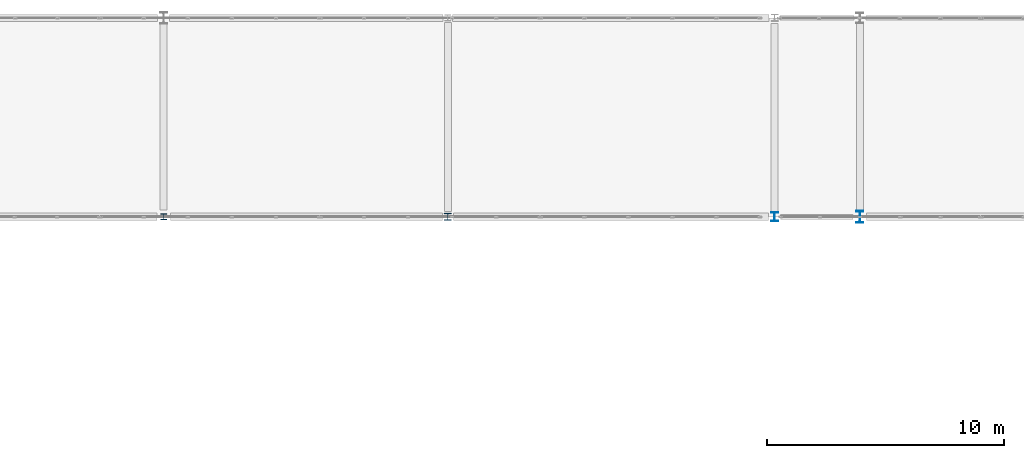
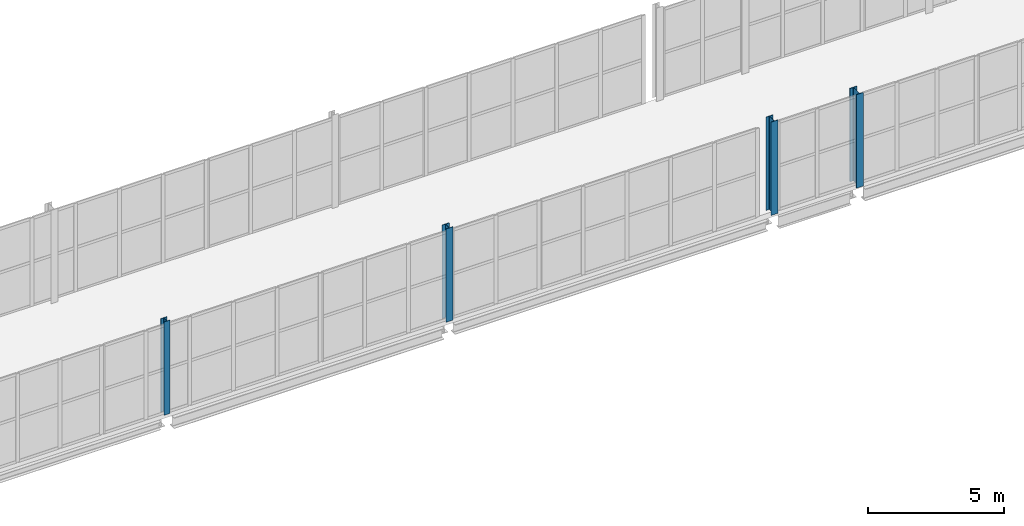
# One storey, part 16 of 121: 4 columns.
"""IFC4 building model written with IfcOpenShell, lengths in metres."""

import ifcopenshell
import ifcopenshell.guid

model = None  # the IFC model being written
_history = None  # IfcOwnerHistory: only IFC2X3 demands one
_inside = {}  # id of a spatial element -> (the spatial element, [elements in it])
_under = {}  # id of a project, library or spatial element -> (it, [spatial elements below it])
_declared = {}  # id of a project -> (the project, [libraries it declares])
_typed = {}  # id of a type object -> (the type object, [elements of that type])
_made_of = {}  # id of a material, layer set ... -> (it, [elements and type objects made of it])


def new_model(schema):
    """Start an empty IFC model of exactly this schema.

    Asked for "IFC4X3", IfcOpenShell would pick the latest addendum, in which some entities
    have other attributes; the version numbers below select the first issue.
    IFC2X3 requires an IfcOwnerHistory on every rooted entity: one is made here for all.
    """
    global model, _history
    if schema == "IFC4X3":
        model = ifcopenshell.file(schema_version=(4, 3, 0, 0))
    else:
        model = ifcopenshell.file(schema=schema)
    _inside.clear()
    _under.clear()
    _declared.clear()
    _typed.clear()
    _made_of.clear()
    _history = None
    if model.schema == "IFC2X3":
        org = make("IfcOrganization", Name="unknown")
        user = make(
            "IfcPersonAndOrganization",
            ThePerson=make("IfcPerson", FamilyName="unknown"),
            TheOrganization=org,
        )
        app = make(
            "IfcApplication",
            ApplicationDeveloper=org,
            Version="unknown",
            ApplicationFullName="unknown",
            ApplicationIdentifier="unknown",
        )
        _history = make(
            "IfcOwnerHistory",
            OwningUser=user,
            OwningApplication=app,
            ChangeAction="ADDED",
            CreationDate=0,
        )
    return model


def make(cls, **values):
    """One entity of the class cls with the attributes given. An attribute that is None is left unset."""
    return model.create_entity(
        cls, **{name: value for name, value in values.items() if value is not None}
    )


def rooted(cls, **values):
    """An entity with a GlobalId (a new one), such as an element, a storey or a relation."""
    return make(cls, GlobalId=ifcopenshell.guid.new(), OwnerHistory=_history, **values)


def si_unit(unit_type, name, prefix=None):
    """IfcSIUnit, for example si_unit("LENGTHUNIT", "METRE", prefix="MILLI")."""
    return make("IfcSIUnit", UnitType=unit_type, Prefix=prefix, Name=name)


def assignment(units):
    """IfcUnitAssignment: the units of a project."""
    return None if units is None else make("IfcUnitAssignment", Units=units)


def point(xyz):
    """IfcCartesianPoint."""
    return None if xyz is None else make("IfcCartesianPoint", Coordinates=xyz)


def direction(xyz):
    """IfcDirection."""
    return None if xyz is None else make("IfcDirection", DirectionRatios=xyz)


def frame(location, z_axis=None, x_axis=None):
    """IfcAxis2Placement3D, a coordinate frame: its origin and axes. An axis left out is left unset."""
    return make(
        "IfcAxis2Placement3D",
        Location=point(location),
        Axis=direction(z_axis),
        RefDirection=direction(x_axis),
    )


def frame_2d(location, x_axis=None):
    """IfcAxis2Placement2D, a coordinate frame in the plane: its origin and x axis."""
    return make(
        "IfcAxis2Placement2D", Location=point(location), RefDirection=direction(x_axis)
    )


def origin():
    """The frame at (0, 0, 0) with its axes left unset."""
    return frame((0.0, 0.0, 0.0))


def origin_2d():
    """The frame at (0, 0) in the plane with its x axis left unset."""
    return frame_2d((0.0, 0.0))


def place(relative_to, where):
    """IfcLocalPlacement: puts the frame where relative to a parent placement (None: the world)."""
    return make(
        "IfcLocalPlacement", PlacementRelTo=relative_to, RelativePlacement=where
    )


def context(
    kind, dimensions, precision=None, world=None, true_north=None, identifier=None
):
    """IfcGeometricRepresentationContext, for example the 3D "Model" context."""
    return make(
        "IfcGeometricRepresentationContext",
        ContextIdentifier=identifier,
        ContextType=kind,
        CoordinateSpaceDimension=dimensions,
        Precision=precision,
        WorldCoordinateSystem=world,
        TrueNorth=true_north,
    )


def subcontext(parent, identifier, kind, view, scale=None):
    """IfcGeometricRepresentationSubContext, for example "Body" below "Model"."""
    return make(
        "IfcGeometricRepresentationSubContext",
        ContextIdentifier=identifier,
        ContextType=kind,
        ParentContext=parent,
        TargetScale=scale,
        TargetView=view,
    )


def project(units=None, contexts=None):
    """IfcProject with its units and contexts."""
    return rooted(
        "IfcProject",
        Name="project",
        RepresentationContexts=contexts,
        UnitsInContext=assignment(units),
    )


def spatial(cls, under=None, at=None, **own):
    """A site, building, storey or space (cls), placed at a placement, below another one or the project."""
    s = rooted(cls, ObjectPlacement=at, **own)
    if under is not None:
        _under.setdefault(under.id(), (under, []))[1].append(s)
    return s


def profile(cls, at=None, kind="AREA", **sizes):
    """A parametric profile (cls). Its sizes go by their IFC names, for example OverallWidth=200.0."""
    return make(cls, ProfileType=kind, Position=at, **sizes)


def i_section(**sizes):
    """IfcIShapeProfileDef."""
    return profile("IfcIShapeProfileDef", **sizes)


def extrude(swept, where, along, depth):
    """IfcExtrudedAreaSolid: the profile swept, set in the frame where, extruded along a direction by depth."""
    return make(
        "IfcExtrudedAreaSolid",
        SweptArea=swept,
        Position=where,
        ExtrudedDirection=direction(along),
        Depth=depth,
    )


def shape(context_of_items, identifier, shape_type, items):
    """IfcShapeRepresentation: the items that make up one representation, for example the "Body"."""
    return make(
        "IfcShapeRepresentation",
        ContextOfItems=context_of_items,
        RepresentationIdentifier=identifier,
        RepresentationType=shape_type,
        Items=items,
    )


def material(Name=None, Category=None):
    """IfcMaterial."""
    return make("IfcMaterial", Name=Name, Category=Category)


def material_profile(
    of_material, cross_section, Name=None, Category=None, Priority=None
):
    """IfcMaterialProfile: a cross section and its material."""
    return make(
        "IfcMaterialProfile",
        Name=Name,
        Material=of_material,
        Profile=cross_section,
        Priority=Priority,
        Category=Category,
    )


def profile_set(profiles, Name=None, composite=None):
    """IfcMaterialProfileSet."""
    return make(
        "IfcMaterialProfileSet",
        Name=Name,
        MaterialProfiles=profiles,
        CompositeProfile=composite,
    )


def made_of(thing, what):
    """Note that an element or type object is made of a material, layer set ...; save() writes the relation."""
    if what is not None:
        _made_of.setdefault(what.id(), (what, []))[1].append(thing)
    return thing


def type_object(cls, material=None, **own):
    """A type object (cls), such as IfcWallType, which elements share."""
    return made_of(rooted(cls, **own), material)


def element(
    cls,
    number,
    at=None,
    inside=None,
    cuts=None,
    type_object=None,
    material=None,
    context=None,
    identifier="Body",
    shape_type=None,
    held_by="IfcProductDefinitionShape",
    body=None,
    shapes=None,
    **own,
):
    """One element of the class cls, such as IfcWall. Its Tag is "e" and its number.

    at: its placement. inside: the storey or other place that contains it. cuts: it is an
    opening in that element (IfcRelVoidsElement). A single representation is given by context,
    identifier, shape_type and body (its items); several are given by shapes. held_by: the class
    of the entity that holds the representations. save() writes the other relations.
    """
    e = rooted(cls, Tag="e%d" % number, ObjectPlacement=at, **own)
    if body is not None:
        shapes = [shape(context, identifier, shape_type, body)]
    if shapes is not None:
        e.Representation = make(held_by, Representations=shapes)
    if inside is not None:
        _inside.setdefault(inside.id(), (inside, []))[1].append(e)
    if cuts is not None:
        rooted(
            "IfcRelVoidsElement", RelatingBuildingElement=cuts, RelatedOpeningElement=e
        )
    if type_object is not None:
        _typed.setdefault(type_object.id(), (type_object, []))[1].append(e)
    return made_of(e, material)


def aggregate(whole, parts):
    """IfcRelAggregates: a whole, such as a stair, and the parts it consists of."""
    return rooted("IfcRelAggregates", RelatingObject=whole, RelatedObjects=parts)


def save(model, path):
    """Write the relations noted so far, then the file.

    IfcRelAggregates (storeys below a building ...), IfcRelContainedInSpatialStructure (elements
    in a storey), IfcRelDefinesByType, IfcRelAssociatesMaterial and IfcRelDeclares: one each for
    every whole, place, type object, material and project.
    """
    for whole, parts in _under.values():
        aggregate(whole, parts)
    for where, things in _inside.values():
        rooted(
            "IfcRelContainedInSpatialStructure",
            RelatedElements=things,
            RelatingStructure=where,
        )
    for kind, things in _typed.values():
        rooted("IfcRelDefinesByType", RelatedObjects=things, RelatingType=kind)
    for what, things in _made_of.values():
        rooted("IfcRelAssociatesMaterial", RelatedObjects=things, RelatingMaterial=what)
    for by, libraries in _declared.values():
        rooted("IfcRelDeclares", RelatingContext=by, RelatedDefinitions=libraries)
    model.write(path)


model = new_model("IFC4")

# Units and contexts
model_context = context("Model", 3, precision=1e-05, world=origin(), true_north=direction((0.0, 1.0)))
body_context = subcontext(model_context, "Body", "Model", "MODEL_VIEW")
ifc_project = project(units=[si_unit("LENGTHUNIT", "METRE"), si_unit("AREAUNIT", "SQUARE_METRE"), si_unit("VOLUMEUNIT", "CUBIC_METRE"), si_unit("PLANEANGLEUNIT", "RADIAN"), si_unit("MASSUNIT", "GRAM", prefix="KILO")], contexts=[model_context])

# Site, building, storey
site_placement = place(None, origin())
site = spatial("IfcSite", under=ifc_project, at=site_placement, CompositionType="ELEMENT")
building_placement = place(site_placement, origin())
building = spatial("IfcBuilding", under=site, at=building_placement, Name="Vinh Khe Railworks Police Headquarters", CompositionType="ELEMENT")
storey_placement = place(building_placement, frame((0.0, 0.0, 4.800048828125)))
storey = spatial("IfcBuildingStorey", under=building, at=storey_placement, Name="L01", CompositionType="ELEMENT", Elevation=4.800048828125)

# Columns
ifc_material = material(Name="Steel S355JR", Category="steel")
ifc_material_profile_1 = material_profile(ifc_material, i_section(OverallWidth=0.300048828125, OverallDepth=0.389892578125, WebThickness=0.010986328125, FlangeThickness=0.01904296875, FilletRadius=0.027099609375, at=origin_2d()), Name="HEA 400")
ifc_profile_set_1 = profile_set([ifc_material_profile_1], Name="Steel S355JR")
column_type_1 = type_object("IfcColumnType", Name="Steel Column HEA 400", PredefinedType="COLUMN", material=ifc_profile_set_1)
column_1_placement = place(storey_placement, frame((60.0, 96.0, 0.0), z_axis=(0.0, 0.0, 1.0), x_axis=(1.0, 0.0, 0.0)))
element("IfcColumn", 1, at=column_1_placement, inside=storey, type_object=column_type_1, Name="Column COL-L01-SC-15-1053", PredefinedType="COLUMN", context=body_context, shape_type="SweptSolid", body=[
    extrude(i_section(OverallWidth=0.300048828125, OverallDepth=0.389892578125, WebThickness=0.010986328125, FlangeThickness=0.01904296875, FilletRadius=0.027099609375, at=origin_2d()), origin(), (0.0, 0.0, 1.0), 4.199951171875),
])
ifc_material_profile_2 = material_profile(ifc_material, i_section(OverallWidth=0.300048828125, OverallDepth=0.489990234375, WebThickness=0.011962890625, FlangeThickness=0.02294921875, FilletRadius=0.027099609375, at=origin_2d()), Name="HEA 500")
ifc_profile_set_2 = profile_set([ifc_material_profile_2], Name="Steel S355JR")
column_type_2 = type_object("IfcColumnType", Name="Steel Column HEA 500", PredefinedType="COLUMN", material=ifc_profile_set_2)
column_2_placement = place(storey_placement, frame((63.60009765625, 96.0, 0.0), z_axis=(0.0, 0.0, 1.0), x_axis=(1.0, 0.0, 0.0)))
element("IfcColumn", 2, at=column_2_placement, inside=storey, type_object=column_type_2, Name="Column COL-L01-SC-13-1126", PredefinedType="COLUMN", context=body_context, shape_type="SweptSolid", body=[
    extrude(i_section(OverallWidth=0.300048828125, OverallDepth=0.489990234375, WebThickness=0.011962890625, FlangeThickness=0.02294921875, FilletRadius=0.027099609375, at=origin_2d()), origin(), (0.0, 0.0, 1.0), 4.199951171875),
])
ifc_material_profile_3 = material_profile(ifc_material, i_section(OverallWidth=0.260009765625, OverallDepth=0.260009765625, WebThickness=0.010009765625, FlangeThickness=0.017578125, FilletRadius=0.02392578125, at=origin_2d()), Name="HEB 260")
ifc_profile_set_3 = profile_set([ifc_material_profile_3], Name="Steel S355JR")
column_type_3 = type_object("IfcColumnType", Name="Steel Column HEB 260", PredefinedType="COLUMN", material=ifc_profile_set_3)
column_3_placement = place(storey_placement, frame((34.199951171875, 96.0, 0.0), z_axis=(0.0, 0.0, 1.0), x_axis=(1.0, 0.0, 0.0)))
element("IfcColumn", 3, at=column_3_placement, inside=storey, type_object=column_type_3, Name="Column COL-L01-SC-12-0810", PredefinedType="COLUMN", context=body_context, shape_type="SweptSolid", body=[
    extrude(i_section(OverallWidth=0.260009765625, OverallDepth=0.260009765625, WebThickness=0.010009765625, FlangeThickness=0.017578125, FilletRadius=0.02392578125, at=origin_2d()), origin(), (0.0, 0.0, 1.0), 4.199951171875),
])
ifc_material_profile_4 = material_profile(ifc_material, i_section(OverallWidth=0.300048828125, OverallDepth=0.300048828125, WebThickness=0.010986328125, FlangeThickness=0.01904296875, FilletRadius=0.027099609375, at=origin_2d()), Name="HEB 300")
ifc_profile_set_4 = profile_set([ifc_material_profile_4], Name="Steel S355JR")
column_type_4 = type_object("IfcColumnType", Name="Steel Column HEB 300", PredefinedType="COLUMN", material=ifc_profile_set_4)
column_4_placement = place(storey_placement, frame((46.199951171875, 96.0, 0.0), z_axis=(0.0, 0.0, 1.0), x_axis=(1.0, 0.0, 0.0)))
element("IfcColumn", 4, at=column_4_placement, inside=storey, type_object=column_type_4, Name="Column COL-L01-SC-11-0928", PredefinedType="COLUMN", context=body_context, shape_type="SweptSolid", body=[
    extrude(i_section(OverallWidth=0.300048828125, OverallDepth=0.300048828125, WebThickness=0.010986328125, FlangeThickness=0.01904296875, FilletRadius=0.027099609375, at=origin_2d()), origin(), (0.0, 0.0, 1.0), 4.199951171875),
])

save(model, "model.ifc")
